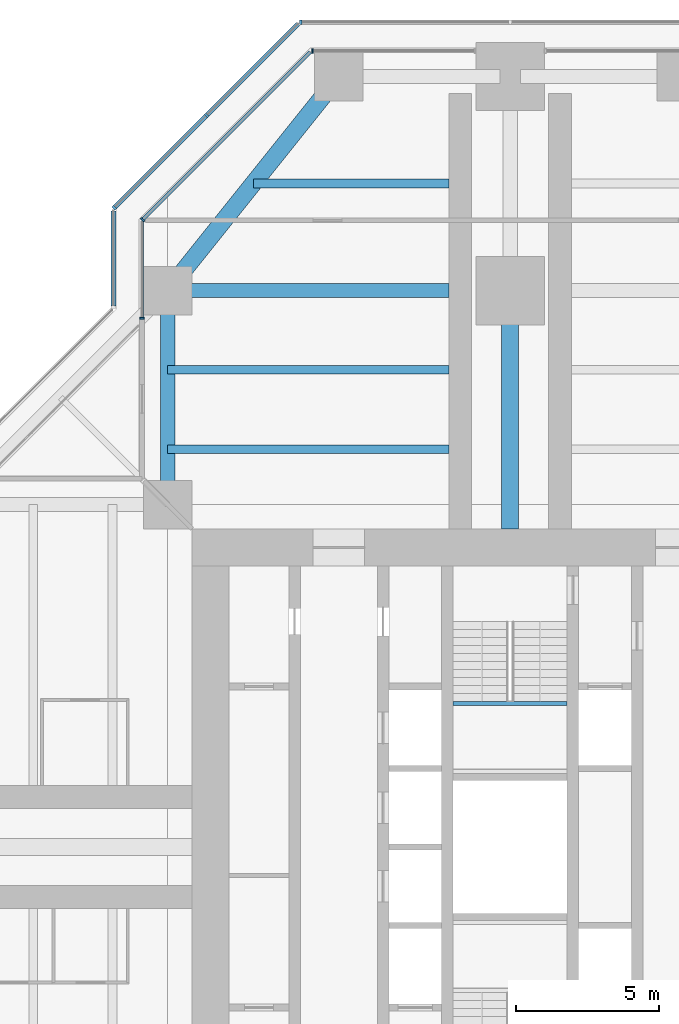
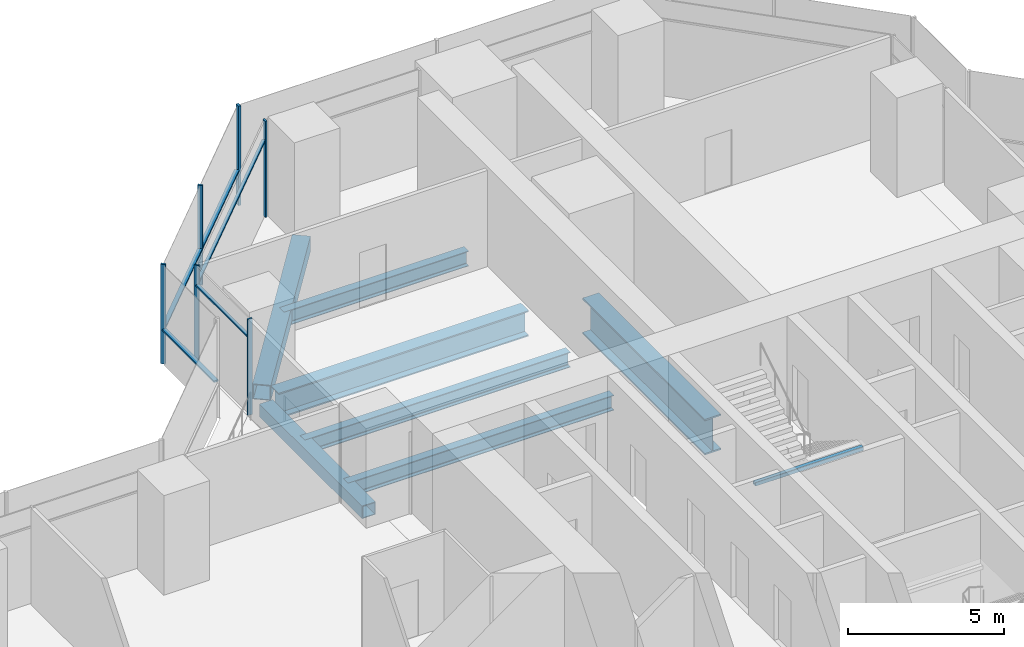
# One storey, part 8 of 20: 11 members, 8 beams, 6 elements without a shape of their own.
"""IFC4 building model written with IfcOpenShell, lengths in metres."""

from ifc_helpers import new_model, si_unit, direction, frame, origin, origin_2d, place, context, subcontext, project, spatial, rectangle, hollow_rectangle, i_section, extrude, material, material_profile, profile_set, type_object, element, aggregate, save


model = new_model("IFC4")

# Units and contexts
model_context = context("Model", 3, precision=1e-05, world=origin(), true_north=direction((0.0, 1.0)))
body_context = subcontext(model_context, "Body", "Model", "MODEL_VIEW")
ifc_project = project(units=[si_unit("LENGTHUNIT", "METRE"), si_unit("AREAUNIT", "SQUARE_METRE"), si_unit("VOLUMEUNIT", "CUBIC_METRE"), si_unit("PLANEANGLEUNIT", "RADIAN"), si_unit("MASSUNIT", "GRAM", prefix="KILO")], contexts=[model_context])

# Site, building, storey
site_placement = place(None, origin())
site = spatial("IfcSite", under=ifc_project, at=site_placement, CompositionType="ELEMENT")
building_placement = place(site_placement, origin())
building = spatial("IfcBuilding", under=site, at=building_placement, Name="Mizan Broadcast Tower", CompositionType="ELEMENT")
storey_placement = place(building_placement, frame((0.0, 0.0, 135.89990234375)))
storey = spatial("IfcBuildingStorey", under=building, at=storey_placement, Name="L30", CompositionType="ELEMENT", Elevation=135.89990234375)

# Beams
ifc_material_1 = material(Name="Steel S355", Category="steel")
ifc_material_profile_1 = material_profile(ifc_material_1, hollow_rectangle(XDim=0.5, YDim=0.5, WallThickness=0.030029296875, at=origin_2d()), Name="BOX 500x500x30")
ifc_profile_set_1 = profile_set([ifc_material_profile_1], Name="Steel S355")
beam_type_1 = type_object("IfcBeamType", Name="EDGE BEAM BOX 500x500x30", PredefinedType="SPANDREL", material=ifc_profile_set_1)
beam_1_placement = place(storey_placement, frame((-12.0, 12.449951171875, -0.3798828125), z_axis=(0.0, 1.0, 0.0), x_axis=(-1.0, 0.0, 0.0)))
element("IfcBeam", 1, at=beam_1_placement, inside=storey, type_object=beam_type_1, Name="Edge beam BOX 500x500x30 L30 north arm", PredefinedType="SPANDREL", context=body_context, shape_type="SweptSolid", body=[
    extrude(hollow_rectangle(XDim=0.5, YDim=0.5, WallThickness=0.030029296875, at=origin_2d()), origin(), (0.0, 0.0, 1.0), 6.60009765625),
])
ifc_material_2 = material(Name="Steel S355", Category="steel")
ifc_material_profile_2 = material_profile(ifc_material_2, hollow_rectangle(XDim=0.60009765625, YDim=0.60009765625, WallThickness=0.030029296875, at=origin_2d()), Name="BOX 600x600x30")
ifc_profile_set_2 = profile_set([ifc_material_profile_2], Name="Steel S355")
beam_type_2 = type_object("IfcBeamType", Name="EDGE BEAM BOX 600x600x30", PredefinedType="SPANDREL", material=ifc_profile_set_2)
beam_2_placement = place(storey_placement, frame((-11.639892578125, 19.949951171875, -0.429931640625), z_axis=(0.624673911726, 0.780885717636, 0.0), x_axis=(-0.780885717636, 0.624673911726, 0.0)))
element("IfcBeam", 2, at=beam_2_placement, inside=storey, type_object=beam_type_2, Name="Edge beam BOX 600x600x30 L30 north arm", PredefinedType="SPANDREL", context=body_context, shape_type="SweptSolid", body=[
    extrude(hollow_rectangle(XDim=0.60009765625, YDim=0.60009765625, WallThickness=0.030029296875, at=origin_2d()), origin(), (0.0, 0.0, 1.0), 8.4521484375),
])
ifc_material_3 = material(Name="Steel S460", Category="steel")
ifc_material_profile_3 = material_profile(ifc_material_3, i_section(OverallWidth=0.5, OverallDepth=1.0, WebThickness=0.02490234375, FlangeThickness=0.050048828125, at=origin_2d()), Name="WPG 1000x500")
ifc_profile_set_3 = profile_set([ifc_material_profile_3], Name="Steel S460")
beam_type_3 = type_object("IfcBeamType", Name="GIRDER WPG 1000x500", PredefinedType="BEAM", material=ifc_profile_set_3)
beam_3_placement = place(storey_placement, frame((-11.408935546875, 19.5, -0.6298828125), z_axis=(1.0, 0.0, 0.0), x_axis=(0.0, 1.0, 0.0)))
element("IfcBeam", 3, at=beam_3_placement, inside=storey, type_object=beam_type_3, Name="Girder WPG 1000x500 L30 north arm", PredefinedType="BEAM", context=body_context, shape_type="SweptSolid", body=[
    extrude(i_section(OverallWidth=0.5, OverallDepth=1.0, WebThickness=0.02490234375, FlangeThickness=0.050048828125, at=origin_2d()), origin(), (0.0, 0.0, 1.0), 9.259033203125),
])
ifc_material_4 = material(Name="Steel S460", Category="steel")
ifc_material_profile_4 = material_profile(ifc_material_4, i_section(OverallWidth=0.60009765625, OverallDepth=1.39990234375, WebThickness=0.02490234375, FlangeThickness=0.06005859375, at=origin_2d()), Name="WPG 1400x600")
ifc_profile_set_4 = profile_set([ifc_material_profile_4], Name="Steel S460")
beam_type_4 = type_object("IfcBeamType", Name="GIRDER WPG 1400x600", PredefinedType="BEAM", material=ifc_profile_set_4)
beam_4_placement = place(storey_placement, frame((0.0, 11.14990234375, -0.829833984375), z_axis=(0.0, 1.0, 0.0), x_axis=(-1.0, 0.0, 0.0)))
element("IfcBeam", 4, at=beam_4_placement, inside=storey, type_object=beam_type_4, Name="Girder WPG 1400x600 L30 north arm", PredefinedType="BEAM", context=body_context, shape_type="SweptSolid", body=[
    extrude(i_section(OverallWidth=0.60009765625, OverallDepth=1.39990234375, WebThickness=0.02490234375, FlangeThickness=0.06005859375, at=origin_2d()), origin(), (0.0, 0.0, 1.0), 7.84912109375),
])

# Curtain wall, member
ifc_material_5 = material(Name="Aluminium framed glazing", Category="aluminium")
curtain_wall_type_1 = type_object("IfcCurtainWallType", Name="INNER SKIN MID ZONE", PredefinedType="USERDEFINED", material=ifc_material_5)
curtain_wall_1_placement = place(storey_placement, origin())
curtain_wall_1 = element("IfcCurtainWall", 5, at=curtain_wall_1_placement, inside=storey, type_object=curtain_wall_type_1, Name="Inner skin mid zone L30 N end", ObjectType="INNER SKIN MID ZONE", PredefinedType="USERDEFINED")
ifc_material_6 = material(Name="Aluminium, pale anodised", Category="aluminium")
ifc_material_profile_5 = material_profile(ifc_material_6, rectangle(XDim=0.159912109375, YDim=0.06005859375, at=origin_2d()), Name="MULLION 160x60")
ifc_profile_set_5 = profile_set([ifc_material_profile_5], Name="Aluminium, pale anodised")
member_type_1 = type_object("IfcMemberType", Name="INNER SKIN MULLION 60x160", PredefinedType="MULLION", material=ifc_profile_set_5)
member_1_placement = place(storey_placement, frame((-6.928466796875, 27.89990234375, 0.0), z_axis=(0.0, 0.0, 1.0), x_axis=(0.0, -1.0, 0.0)))
member_1 = element("IfcMember", 6, at=member_1_placement, type_object=member_type_1, Name="Inner skin mid zone L30 N end mullion 2", PredefinedType="MULLION", context=body_context, shape_type="SweptSolid", body=[
    extrude(rectangle(XDim=0.159912109375, YDim=0.06005859375, at=origin_2d()), origin(), (0.0, 0.0, 1.0), 3.77001953125),
])
aggregate(curtain_wall_1, [member_1])

curtain_wall_2_placement = place(storey_placement, origin())
curtain_wall_2 = element("IfcCurtainWall", 7, at=curtain_wall_2_placement, inside=storey, type_object=curtain_wall_type_1, Name="Inner skin mid zone L30 N chamfer", ObjectType="INNER SKIN MID ZONE", PredefinedType="USERDEFINED")
member_2_placement = place(storey_placement, frame((-12.87890625, 21.979736328125, 0.0), z_axis=(0.0, 0.0, 1.0), x_axis=(0.707106781187, -0.707106781187, 0.0)))
member_2 = element("IfcMember", 8, at=member_2_placement, type_object=member_type_1, Name="Inner skin mid zone L30 N chamfer mullion 2", PredefinedType="MULLION", context=body_context, shape_type="SweptSolid", body=[
    extrude(rectangle(XDim=0.159912109375, YDim=0.06005859375, at=origin_2d()), origin(), (0.0, 0.0, 1.0), 3.77001953125),
])

curtain_wall_3_placement = place(storey_placement, origin())
curtain_wall_3 = element("IfcCurtainWall", 9, at=curtain_wall_3_placement, inside=storey, type_object=curtain_wall_type_1, Name="Inner skin mid zone L30 N side", ObjectType="INNER SKIN MID ZONE", PredefinedType="USERDEFINED")
member_3_placement = place(storey_placement, frame((-12.89990234375, 18.530029296875, 0.0), z_axis=(0.0, 0.0, 1.0), x_axis=(1.0, 0.0, 0.0)))
member_3 = element("IfcMember", 10, at=member_3_placement, type_object=member_type_1, Name="Inner skin mid zone L30 N side mullion 2", PredefinedType="MULLION", context=body_context, shape_type="SweptSolid", body=[
    extrude(rectangle(XDim=0.159912109375, YDim=0.06005859375, at=origin_2d()), origin(), (0.0, 0.0, 1.0), 3.77001953125),
])

# Member
ifc_material_7 = material(Name="Aluminium, pale anodised", Category="aluminium")
ifc_material_profile_6 = material_profile(ifc_material_7, rectangle(XDim=0.1201171875, YDim=0.06005859375, at=origin_2d()), Name="TRANSOM 120x60")
ifc_profile_set_6 = profile_set([ifc_material_profile_6], Name="Aluminium, pale anodised")
member_type_2 = type_object("IfcMemberType", Name="INNER SKIN TRANSOM 60x120", PredefinedType="USERDEFINED", material=ifc_profile_set_6)
member_4_placement = place(storey_placement, frame((-7.0009765625, 27.857666015625, 3.030029296875), z_axis=(-0.707106781187, -0.707106781187, 0.0), x_axis=(0.707106781187, -0.707106781187, 0.0)))
member_4 = element("IfcMember", 11, at=member_4_placement, type_object=member_type_2, Name="Inner skin mid zone L30 N chamfer transom 1.1", ObjectType="TRANSOM", PredefinedType="USERDEFINED", context=body_context, shape_type="SweptSolid", body=[
    extrude(rectangle(XDim=0.1201171875, YDim=0.06005859375, at=origin_2d()), origin(), (0.0, 0.0, 1.0), 8.28271484375),
])

aggregate(curtain_wall_2, [member_2, member_4])

member_5_placement = place(storey_placement, frame((-12.89990234375, 21.898681640625, 3.030029296875), z_axis=(0.0, -1.0, 0.0), x_axis=(1.0, 0.0, 0.0)))
member_5 = element("IfcMember", 12, at=member_5_placement, type_object=member_type_2, Name="Inner skin mid zone L30 N side transom 1.1", ObjectType="TRANSOM", PredefinedType="USERDEFINED", context=body_context, shape_type="SweptSolid", body=[
    extrude(rectangle(XDim=0.1201171875, YDim=0.06005859375, at=origin_2d()), origin(), (0.0, 0.0, 1.0), 3.338623046875),
])

aggregate(curtain_wall_3, [member_3, member_5])

# Beam
ifc_material_8 = material(Name="Steel S355", Category="steel")
ifc_material_profile_7 = material_profile(ifc_material_8, hollow_rectangle(XDim=0.14990234375, YDim=0.14990234375, WallThickness=0.008056640625, InnerFilletRadius=0.008056640625, OuterFilletRadius=0.011962890625, at=origin_2d()), Name="SHS 150x150x8")
ifc_profile_set_7 = profile_set([ifc_material_profile_7], Name="Steel S355")
beam_type_5 = type_object("IfcBeamType", Name="LANDING TRIMMER SHS 150x150x8", PredefinedType="BEAM", material=ifc_profile_set_7)
beam_5_placement = place(storey_placement, frame((2.0, 5.02490234375, 1.675048828125), z_axis=(-1.0, 0.0, 0.0), x_axis=(0.0, -1.0, 0.0)))
element("IfcBeam", 13, at=beam_5_placement, inside=storey, type_object=beam_type_5, Name="Stair B landing trimmer L30", PredefinedType="BEAM", context=body_context, shape_type="SweptSolid", body=[
    extrude(hollow_rectangle(XDim=0.14990234375, YDim=0.14990234375, WallThickness=0.008056640625, InnerFilletRadius=0.008056640625, OuterFilletRadius=0.011962890625, at=origin_2d()), origin(), (0.0, 0.0, 1.0), 4.0),
])

# Curtain wall, member
ifc_material_9 = material(Name="Aluminium framed glazing", Category="aluminium")
curtain_wall_type_2 = type_object("IfcCurtainWallType", Name="OUTER SKIN", PredefinedType="USERDEFINED", material=ifc_material_9)
curtain_wall_4_placement = place(storey_placement, origin())
curtain_wall_4 = element("IfcCurtainWall", 14, at=curtain_wall_4_placement, inside=storey, type_object=curtain_wall_type_2, Name="Outer skin L30 N end", ObjectType="OUTER SKIN", PredefinedType="USERDEFINED")
ifc_material_10 = material(Name="Aluminium, pale anodised", Category="aluminium")
ifc_material_profile_8 = material_profile(ifc_material_10, rectangle(XDim=0.159912109375, YDim=0.080078125, at=origin_2d()), Name="MULLION 160x80")
ifc_profile_set_8 = profile_set([ifc_material_profile_8], Name="Aluminium, pale anodised")
member_type_3 = type_object("IfcMemberType", Name="OUTER SKIN MULLION 80x160", PredefinedType="MULLION", material=ifc_profile_set_8)
member_6_placement = place(storey_placement, frame((-7.332763671875, 28.89990234375, 0.0), z_axis=(0.0, 0.0, 1.0), x_axis=(0.0, -1.0, 0.0)))
member_6 = element("IfcMember", 15, at=member_6_placement, type_object=member_type_3, Name="Outer skin L30 N end mullion 3", PredefinedType="MULLION", context=body_context, shape_type="SweptSolid", body=[
    extrude(rectangle(XDim=0.159912109375, YDim=0.080078125, at=origin_2d()), origin(), (0.0, 0.0, 1.0), 3.900146484375),
])
aggregate(curtain_wall_4, [member_6])

# Curtain wall, members
curtain_wall_5_placement = place(storey_placement, origin())
curtain_wall_5 = element("IfcCurtainWall", 16, at=curtain_wall_5_placement, inside=storey, type_object=curtain_wall_type_2, Name="Outer skin L30 N chamfer", ObjectType="OUTER SKIN", PredefinedType="USERDEFINED")
member_7_placement = place(storey_placement, frame((-10.636474609375, 25.636474609375, 0.0), z_axis=(0.0, 0.0, 1.0), x_axis=(0.707106781187, -0.707106781187, 0.0)))
member_7 = element("IfcMember", 17, at=member_7_placement, type_object=member_type_3, Name="Outer skin L30 N chamfer mullion 2", PredefinedType="MULLION", context=body_context, shape_type="SweptSolid", body=[
    extrude(rectangle(XDim=0.159912109375, YDim=0.080078125, at=origin_2d()), origin(), (0.0, 0.0, 1.0), 3.900146484375),
])
member_8_placement = place(storey_placement, frame((-13.871826171875, 22.401123046875, 0.0), z_axis=(0.0, 0.0, 1.0), x_axis=(0.707106781187, -0.707106781187, 0.0)))
member_8 = element("IfcMember", 18, at=member_8_placement, type_object=member_type_3, Name="Outer skin L30 N chamfer mullion 3", PredefinedType="MULLION", context=body_context, shape_type="SweptSolid", body=[
    extrude(rectangle(XDim=0.159912109375, YDim=0.080078125, at=origin_2d()), origin(), (0.0, 0.0, 1.0), 3.900146484375),
])
ifc_material_11 = material(Name="Aluminium, pale anodised", Category="aluminium")
ifc_material_profile_9 = material_profile(ifc_material_11, rectangle(XDim=0.159912109375, YDim=0.06005859375, at=origin_2d()), Name="TRANSOM 160x60")
ifc_profile_set_9 = profile_set([ifc_material_profile_9], Name="Aluminium, pale anodised")
member_type_4 = type_object("IfcMemberType", Name="OUTER SKIN TRANSOM 60x160", PredefinedType="USERDEFINED", material=ifc_profile_set_9)
member_9_placement = place(storey_placement, frame((-7.429443359375, 28.843505859375, 1.400146484375), z_axis=(-0.707106781187, -0.707106781187, 0.0), x_axis=(0.707106781187, -0.707106781187, 0.0)))
member_9 = element("IfcMember", 19, at=member_9_placement, type_object=member_type_4, Name="Outer skin L30 N chamfer transom 1.1", ObjectType="TRANSOM", PredefinedType="USERDEFINED", context=body_context, shape_type="SweptSolid", body=[
    extrude(rectangle(XDim=0.159912109375, YDim=0.06005859375, at=origin_2d()), origin(), (0.0, 0.0, 1.0), 4.495361328125),
])
member_10_placement = place(storey_placement, frame((-10.664794921875, 25.608154296875, 1.400146484375), z_axis=(-0.707106781187, -0.707106781187, 0.0), x_axis=(0.707106781187, -0.707106781187, 0.0)))
member_10 = element("IfcMember", 20, at=member_10_placement, type_object=member_type_4, Name="Outer skin L30 N chamfer transom 2.1", ObjectType="TRANSOM", PredefinedType="USERDEFINED", context=body_context, shape_type="SweptSolid", body=[
    extrude(rectangle(XDim=0.159912109375, YDim=0.06005859375, at=origin_2d()), origin(), (0.0, 0.0, 1.0), 4.495361328125),
])
aggregate(curtain_wall_5, [member_7, member_8, member_9, member_10])

# Curtain wall, member
curtain_wall_6_placement = place(storey_placement, origin())
curtain_wall_6 = element("IfcCurtainWall", 21, at=curtain_wall_6_placement, inside=storey, type_object=curtain_wall_type_2, Name="Outer skin L30 N side", ObjectType="OUTER SKIN", PredefinedType="USERDEFINED")
member_11_placement = place(storey_placement, frame((-13.89990234375, 22.292724609375, 1.400146484375), z_axis=(0.0, -1.0, 0.0), x_axis=(1.0, 0.0, 0.0)))
member_11 = element("IfcMember", 22, at=member_11_placement, type_object=member_type_4, Name="Outer skin L30 N side transom 1.1", ObjectType="TRANSOM", PredefinedType="USERDEFINED", context=body_context, shape_type="SweptSolid", body=[
    extrude(rectangle(XDim=0.159912109375, YDim=0.06005859375, at=origin_2d()), origin(), (0.0, 0.0, 1.0), 3.33984375),
])
aggregate(curtain_wall_6, [member_11])

# Beams
ifc_material_12 = material(Name="Steel S355", Category="steel")
ifc_material_profile_10 = material_profile(ifc_material_12, i_section(OverallWidth=0.300048828125, OverallDepth=0.590087890625, WebThickness=0.012939453125, FlangeThickness=0.02490234375, FilletRadius=0.027099609375, at=origin_2d()), Name="HEA 600")
ifc_profile_set_10 = profile_set([ifc_material_profile_10], Name="Steel S355")
beam_type_6 = type_object("IfcBeamType", Name="SECONDARY BEAM HEA 600", PredefinedType="JOIST", material=ifc_profile_set_10)
for number, where, z_axis, x_axis, name in (
    (23, (-12.0, 13.933349609375, -0.4248046875), (1.0, 0.0, 0.0), (0.0, 1.0, 0.0), "Secondary beam HEA 600 L30 north arm"),
    (24, (-12.0, 16.716552734375, -0.4248046875), (1.0, 0.0, 0.0), (0.0, 1.0, 0.0), "Secondary beam HEA 600 L30 north arm"),
):
    element("IfcBeam", number, at=place(storey_placement, frame(where, z_axis=z_axis, x_axis=x_axis)), inside=storey, type_object=beam_type_6, Name=name, PredefinedType="JOIST", context=body_context, shape_type="SweptSolid", body=[
        extrude(i_section(OverallWidth=0.300048828125, OverallDepth=0.590087890625, WebThickness=0.012939453125, FlangeThickness=0.02490234375, FilletRadius=0.027099609375, at=origin_2d()), origin(), (0.0, 0.0, 1.0), 9.85009765625),
    ])
beam_6_placement = place(storey_placement, frame((-9.0, 23.25, -0.4248046875), z_axis=(1.0, 0.0, 0.0), x_axis=(0.0, 1.0, 0.0)))
element("IfcBeam", 25, at=beam_6_placement, inside=storey, type_object=beam_type_6, Name="Secondary beam HEA 600 L30 north arm", PredefinedType="JOIST", context=body_context, shape_type="SweptSolid", body=[
    extrude(i_section(OverallWidth=0.300048828125, OverallDepth=0.590087890625, WebThickness=0.012939453125, FlangeThickness=0.02490234375, FilletRadius=0.027099609375, at=origin_2d()), origin(), (0.0, 0.0, 1.0), 6.85009765625),
])

save(model, "model.ifc")
